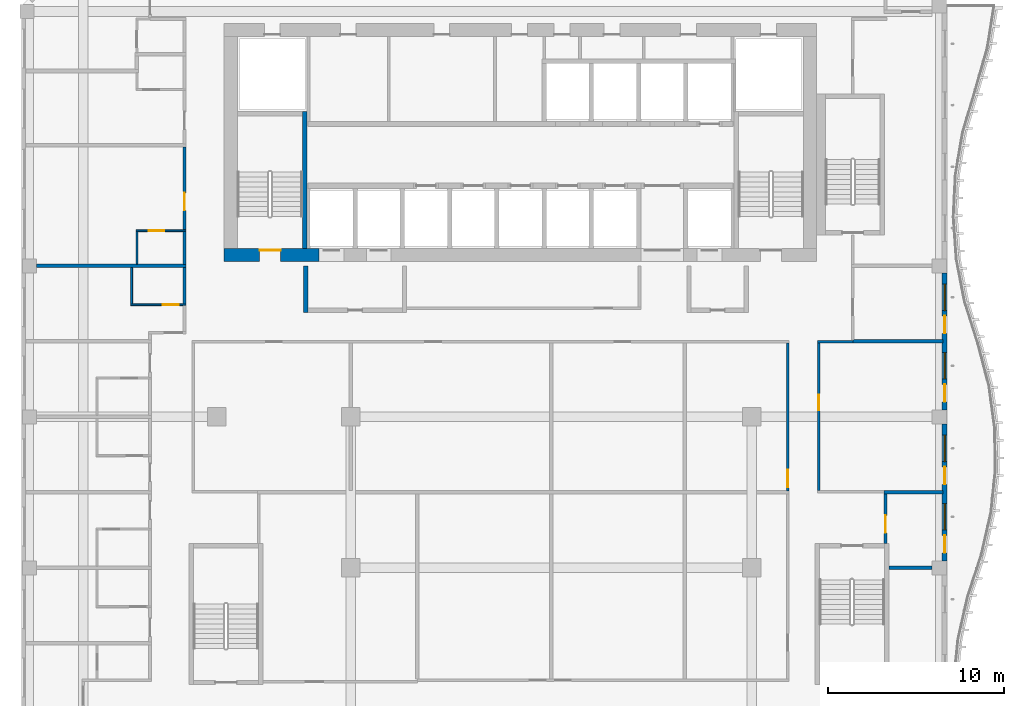
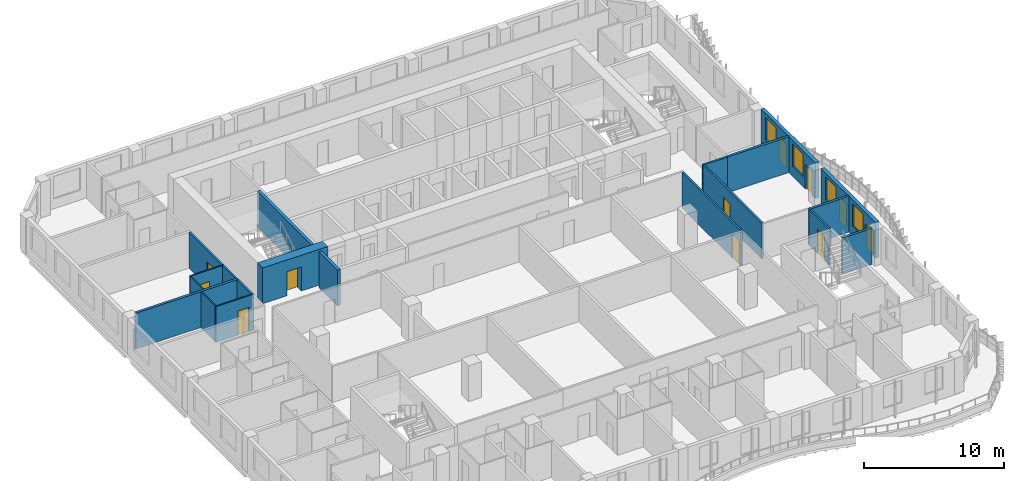
# One storey, part 6 of 21: 20 walls, 11 doors, 4 windows, 15 openings.
"""IFC4 building model written with IfcOpenShell, lengths in metres."""

from ifc_helpers import new_model, si_unit, direction, frame, frame_2d, origin, place, context, subcontext, project, spatial, rectangle, extrude, source, transform, mapped, material, layer, layer_set, type_object, element, fill, save


model = new_model("IFC4")

# Units and contexts
model_context = context("Model", 3, precision=1e-05, world=origin(), true_north=direction((0.0, 1.0)))
body_context = subcontext(model_context, "Body", "Model", "MODEL_VIEW")
ifc_project = project(units=[si_unit("LENGTHUNIT", "METRE"), si_unit("AREAUNIT", "SQUARE_METRE"), si_unit("VOLUMEUNIT", "CUBIC_METRE"), si_unit("PLANEANGLEUNIT", "RADIAN"), si_unit("MASSUNIT", "GRAM", prefix="KILO")], contexts=[model_context])

# Site, building, storey
site_placement = place(None, origin())
site = spatial("IfcSite", under=ifc_project, at=site_placement, CompositionType="ELEMENT")
building_placement = place(site_placement, origin())
building = spatial("IfcBuilding", under=site, at=building_placement, Name="Kilnfold Tower and Market Hall", CompositionType="ELEMENT")
storey_placement = place(building_placement, frame((0.0, 0.0, 182.10009765625)))
storey = spatial("IfcBuildingStorey", under=building, at=storey_placement, Name="L43", CompositionType="ELEMENT", Elevation=182.10009765625)

# Wall
ifc_material_1 = material(Name="Gypsum board on steel studs", Category="steel")
ifc_layer_1 = layer(ifc_material_1, 0.14990234375)
ifc_layer_set_1 = layer_set([ifc_layer_1], Name="Gypsum board on steel studs")
wall_type_1 = type_object("IfcWallType", Name="WALL CORRIDOR 150", PredefinedType="PARTITIONING", material=ifc_layer_set_1)
wall_1_placement = place(storey_placement, frame((-18.0, 5.840087890625, 0.0), z_axis=(0.0, 0.0, 1.0), x_axis=(0.0, 1.0, 0.0)))
element("IfcWall", 1, at=wall_1_placement, inside=storey, type_object=wall_type_1, Name="Partition LY27.21", PredefinedType="PARTITIONING", context=body_context, shape_type="SweptSolid", body=[
    extrude(rectangle(XDim=2.06982421875, YDim=0.14990234375, at=frame_2d((1.034912109375, 0.0))), origin(), (0.0, 0.0, 1.0), 3.119873046875),
])

# Wall, opening, door
wall_2_placement = place(storey_placement, frame((-18.0, 10.0400390625, 0.0), z_axis=(0.0, 0.0, 1.0), x_axis=(0.0, 1.0, 0.0)))
wall_2 = element("IfcWall", 2, at=wall_2_placement, inside=storey, type_object=wall_type_1, Name="Partition LY27.22", PredefinedType="PARTITIONING", context=body_context, shape_type="SweptSolid", body=[
    extrude(rectangle(XDim=4.70703125, YDim=0.14990234375, at=frame_2d((2.353515625, 0.0))), origin(), (0.0, 0.0, 1.0), 3.119873046875),
])
opening_1_placement = place(wall_2_placement, frame((1.10205078125, 0.0, 0.0)))
opening_1 = element("IfcOpeningElement", 3, at=opening_1_placement, cuts=wall_2, Name="Opening D1", PredefinedType="OPENING", context=body_context, shape_type="SweptSolid", body=[
    extrude(rectangle(XDim=1.0, YDim=2.10009765625, at=frame_2d((0.5, 1.050048828125))), frame((0.0, 0.0849609375, 0.0), z_axis=(0.0, -1.0, 0.0), x_axis=(1.0, 0.0, 0.0)), (0.0, 0.0, 1.0), 0.169921875),
])
ifc_material_2 = material(Name="Timber veneer door leaf in steel frame", Category="steel")
door_type_1 = type_object("IfcDoorType", Name="DOOR ENTRY 1000 X2100", OperationType="NOTDEFINED", PredefinedType="DOOR", material=ifc_material_2)
door_1_placement = place(opening_1_placement, origin())
door_1 = element("IfcDoor", 4, at=door_1_placement, inside=storey, type_object=door_type_1, Name="Door D1", OperationType="SINGLE_SWING_LEFT", OverallHeight=2.10009765625, OverallWidth=1.0, PredefinedType="DOOR", context=body_context, shape_type="SweptSolid", body=[
    extrude(rectangle(XDim=1.0, YDim=2.10009765625, at=frame_2d((0.5, 1.050048828125))), frame((0.0, 0.02490234375, 0.0), z_axis=(0.0, -1.0, 0.0), x_axis=(1.0, 0.0, 0.0)), (0.0, 0.0, 1.0), 0.050048828125),
])
fill(opening_1, door_1)

# Walls
wall_3_placement = place(storey_placement, frame((-18.0, 8.090087890625, 0.0), z_axis=(0.0, 0.0, 1.0), x_axis=(0.0, 1.0, 0.0)))
element("IfcWall", 5, at=wall_3_placement, inside=storey, type_object=wall_type_1, Name="Partition LY27.23", PredefinedType="PARTITIONING", context=body_context, shape_type="SweptSolid", body=[
    extrude(rectangle(XDim=1.869873046875, YDim=0.14990234375, at=frame_2d((0.93505859375, 0.0))), origin(), (0.0, 0.0, 1.0), 3.119873046875),
])
wall_4_placement = place(storey_placement, frame((17.884033203125, 3.699951171875, 0.0), z_axis=(0.0, 0.0, 1.0), x_axis=(1.0, 0.0, 0.0)))
element("IfcWall", 6, at=wall_4_placement, inside=storey, type_object=wall_type_1, Name="Partition LY27.34", PredefinedType="PARTITIONING", context=body_context, shape_type="SweptSolid", body=[
    extrude(rectangle(XDim=2.015869140625, YDim=0.14990234375, at=frame_2d((1.0078125, 0.0))), origin(), (0.0, 0.0, 1.0), 3.119873046875),
])

# Wall, opening, door
wall_5_placement = place(storey_placement, frame((17.958984375, -4.72509765625, 0.0), z_axis=(0.0, 0.0, 1.0), x_axis=(0.0, 1.0, 0.0)))
wall_5 = element("IfcWall", 7, at=wall_5_placement, inside=storey, type_object=wall_type_1, Name="Partition LY27.35", PredefinedType="PARTITIONING", context=body_context, shape_type="SweptSolid", body=[
    extrude(rectangle(XDim=8.35009765625, YDim=0.14990234375, at=frame_2d((4.175048828125, 0.0))), origin(), (0.0, 0.0, 1.0), 3.119873046875),
])
opening_2_placement = place(wall_5_placement, frame((4.531005859375, 0.0, 0.0)))
opening_2 = element("IfcOpeningElement", 8, at=opening_2_placement, cuts=wall_5, Name="Opening D2", PredefinedType="OPENING", context=body_context, shape_type="SweptSolid", body=[
    extrude(rectangle(XDim=0.89990234375, YDim=2.10009765625, at=frame_2d((0.449951171875, 1.050048828125))), frame((0.0, 0.0849609375, 0.0), z_axis=(0.0, -1.0, 0.0), x_axis=(1.0, 0.0, 0.0)), (0.0, 0.0, 1.0), 0.169921875),
])
ifc_material_3 = material(Name="Timber veneer door leaf in steel frame", Category="steel")
door_type_2 = type_object("IfcDoorType", Name="DOOR ROOM 900 X2100", OperationType="NOTDEFINED", PredefinedType="DOOR", material=ifc_material_3)
door_2_placement = place(opening_2_placement, origin())
door_2 = element("IfcDoor", 9, at=door_2_placement, inside=storey, type_object=door_type_2, Name="Door D2", OperationType="SINGLE_SWING_RIGHT", OverallHeight=2.10009765625, OverallWidth=0.89990234375, PredefinedType="DOOR", context=body_context, shape_type="SweptSolid", body=[
    extrude(rectangle(XDim=0.89990234375, YDim=2.10009765625, at=frame_2d((0.449951171875, 1.050048828125))), frame((0.0, 0.02490234375, 0.0), z_axis=(0.0, -1.0, 0.0), x_axis=(1.0, 0.0, 0.0)), (0.0, 0.0, 1.0), 0.050048828125),
])
fill(opening_2, door_2)

wall_6_placement = place(storey_placement, frame((21.75, -7.75, 0.0), z_axis=(0.0, 0.0, 1.0), x_axis=(0.0, 1.0, 0.0)))
wall_6 = element("IfcWall", 10, at=wall_6_placement, inside=storey, type_object=wall_type_1, Name="Partition LY27.37", PredefinedType="PARTITIONING", context=body_context, shape_type="SweptSolid", body=[
    extrude(rectangle(XDim=2.81689453125, YDim=0.14990234375, at=frame_2d((1.408447265625, 0.0))), origin(), (0.0, 0.0, 1.0), 3.119873046875),
])
opening_3_placement = place(wall_6_placement, frame((0.60498046875, 0.0, 0.0)))
opening_3 = element("IfcOpeningElement", 11, at=opening_3_placement, cuts=wall_6, Name="Opening D4", PredefinedType="OPENING", context=body_context, shape_type="SweptSolid", body=[
    extrude(rectangle(XDim=1.0, YDim=2.10009765625, at=frame_2d((0.5, 1.050048828125))), frame((0.0, 0.0849609375, 0.0), z_axis=(0.0, -1.0, 0.0), x_axis=(1.0, 0.0, 0.0)), (0.0, 0.0, 1.0), 0.169921875),
])
ifc_material_4 = material(Name="Timber veneer door leaf in steel frame", Category="steel")
door_type_3 = type_object("IfcDoorType", Name="DOOR SERVICE 1000 X2100", OperationType="NOTDEFINED", PredefinedType="DOOR", material=ifc_material_4)
door_3_placement = place(opening_3_placement, origin())
door_3 = element("IfcDoor", 12, at=door_3_placement, inside=storey, type_object=door_type_3, Name="Door D4", OperationType="SINGLE_SWING_LEFT", OverallHeight=2.10009765625, OverallWidth=1.0, PredefinedType="DOOR", context=body_context, shape_type="SweptSolid", body=[
    extrude(rectangle(XDim=1.0, YDim=2.10009765625, at=frame_2d((0.5, 1.050048828125))), frame((0.0, 0.02490234375, 0.0), z_axis=(0.0, -1.0, 0.0), x_axis=(1.0, 0.0, 0.0)), (0.0, 0.0, 1.0), 0.050048828125),
])
fill(opening_3, door_3)

wall_7_placement = place(storey_placement, frame((16.199951171875, -4.7529296875, 0.0), z_axis=(0.0, 0.0, 1.0), x_axis=(0.0, 1.0, 0.0)))
wall_7 = element("IfcWall", 13, at=wall_7_placement, inside=storey, type_object=wall_type_1, Name="Partition LY27.45", PredefinedType="PARTITIONING", context=body_context, shape_type="SweptSolid", body=[
    extrude(rectangle(XDim=8.3779296875, YDim=0.14990234375, at=frame_2d((4.18896484375, 0.0))), origin(), (0.0, 0.0, 1.0), 3.119873046875),
])
opening_4_placement = place(wall_7_placement, frame((0.199951171875, 0.0, 0.0)))
opening_4 = element("IfcOpeningElement", 14, at=opening_4_placement, cuts=wall_7, Name="Opening D4", PredefinedType="OPENING", context=body_context, shape_type="SweptSolid", body=[
    extrude(rectangle(XDim=1.0, YDim=2.10009765625, at=frame_2d((0.5, 1.050048828125))), frame((0.0, 0.0849609375, 0.0), z_axis=(0.0, -1.0, 0.0), x_axis=(1.0, 0.0, 0.0)), (0.0, 0.0, 1.0), 0.169921875),
])
door_4_placement = place(opening_4_placement, origin())
door_4 = element("IfcDoor", 15, at=door_4_placement, inside=storey, type_object=door_type_3, Name="Door D4", OperationType="SINGLE_SWING_RIGHT", OverallHeight=2.10009765625, OverallWidth=1.0, PredefinedType="DOOR", context=body_context, shape_type="SweptSolid", body=[
    extrude(rectangle(XDim=1.0, YDim=2.10009765625, at=frame_2d((0.5, 1.050048828125))), frame((0.0, 0.02490234375, 0.0), z_axis=(0.0, -1.0, 0.0), x_axis=(1.0, 0.0, 0.0)), (0.0, 0.0, 1.0), 0.050048828125),
])
fill(opening_4, door_4)

ifc_material_5 = material(Name="Gypsum board on steel studs", Category="steel")
ifc_layer_2 = layer(ifc_material_5, 0.10009765625)
ifc_layer_set_2 = layer_set([ifc_layer_2], Name="Gypsum board on steel studs")
wall_type_2 = type_object("IfcWallType", Name="WALL PARTITION 100", PredefinedType="PARTITIONING", material=ifc_layer_set_2)
wall_8_placement = place(storey_placement, frame((-17.927001953125, 5.800048828125, 0.0), z_axis=(0.0, 0.0, 1.0), x_axis=(-1.0, 0.0, 0.0)))
wall_8 = element("IfcWall", 16, at=wall_8_placement, inside=storey, type_object=wall_type_2, Name="Partition LY27.97", PredefinedType="PARTITIONING", context=body_context, shape_type="SweptSolid", body=[
    extrude(rectangle(XDim=3.125, YDim=0.10009765625, at=frame_2d((1.5625, 0.0))), origin(), (0.0, 0.0, 1.0), 3.119873046875),
])
opening_5_placement = place(wall_8_placement, frame((0.403076171875, 0.0, 0.0)))
opening_5 = element("IfcOpeningElement", 17, at=opening_5_placement, cuts=wall_8, Name="Opening D3", PredefinedType="OPENING", context=body_context, shape_type="SweptSolid", body=[
    extrude(rectangle(XDim=0.89990234375, YDim=2.10009765625, at=frame_2d((0.449951171875, 1.050048828125))), frame((0.0, 0.06005859375, 0.0), z_axis=(0.0, -1.0, 0.0), x_axis=(1.0, 0.0, 0.0)), (0.0, 0.0, 1.0), 0.1201171875),
])
ifc_material_6 = material(Name="Timber veneer door leaf in steel frame", Category="steel")
door_type_4 = type_object("IfcDoorType", Name="DOOR WC 900 X2100", OperationType="NOTDEFINED", PredefinedType="DOOR", material=ifc_material_6)
door_5_placement = place(opening_5_placement, origin())
door_5 = element("IfcDoor", 18, at=door_5_placement, inside=storey, type_object=door_type_4, Name="Door D3", OperationType="SINGLE_SWING_LEFT", OverallHeight=2.10009765625, OverallWidth=0.89990234375, PredefinedType="DOOR", context=body_context, shape_type="SweptSolid", body=[
    extrude(rectangle(XDim=0.89990234375, YDim=2.10009765625, at=frame_2d((0.449951171875, 1.050048828125))), frame((0.0, 0.02490234375, 0.0), z_axis=(0.0, -1.0, 0.0), x_axis=(1.0, 0.0, 0.0)), (0.0, 0.0, 1.0), 0.050048828125),
])
fill(opening_5, door_5)

# Wall
wall_9_placement = place(storey_placement, frame((-21.001953125, 5.85009765625, 0.0), z_axis=(0.0, 0.0, 1.0), x_axis=(0.0, 1.0, 0.0)))
element("IfcWall", 19, at=wall_9_placement, inside=storey, type_object=wall_type_2, Name="Partition LY27.98", PredefinedType="PARTITIONING", context=body_context, shape_type="SweptSolid", body=[
    extrude(rectangle(XDim=2.0498046875, YDim=0.10009765625, at=frame_2d((1.02490234375, 0.0))), origin(), (0.0, 0.0, 1.0), 3.119873046875),
])

# Wall, opening, door
wall_10_placement = place(storey_placement, frame((-20.751953125, 10.0, 0.0), z_axis=(0.0, 0.0, 1.0), x_axis=(1.0, 0.0, 0.0)))
wall_10 = element("IfcWall", 20, at=wall_10_placement, inside=storey, type_object=wall_type_2, Name="Partition LY27.100", PredefinedType="PARTITIONING", context=body_context, shape_type="SweptSolid", body=[
    extrude(rectangle(XDim=2.824951171875, YDim=0.10009765625, at=frame_2d((1.41259765625, 0.0))), origin(), (0.0, 0.0, 1.0), 3.119873046875),
])
opening_6_placement = place(wall_10_placement, frame((0.7080078125, 0.0, 0.0)))
opening_6 = element("IfcOpeningElement", 21, at=opening_6_placement, cuts=wall_10, Name="Opening D3", PredefinedType="OPENING", context=body_context, shape_type="SweptSolid", body=[
    extrude(rectangle(XDim=0.89990234375, YDim=2.10009765625, at=frame_2d((0.449951171875, 1.050048828125))), frame((0.0, 0.06005859375, 0.0), z_axis=(0.0, -1.0, 0.0), x_axis=(1.0, 0.0, 0.0)), (0.0, 0.0, 1.0), 0.1201171875),
])
door_6_placement = place(opening_6_placement, origin())
door_6 = element("IfcDoor", 22, at=door_6_placement, inside=storey, type_object=door_type_4, Name="Door D3", OperationType="SINGLE_SWING_RIGHT", OverallHeight=2.10009765625, OverallWidth=0.89990234375, PredefinedType="DOOR", context=body_context, shape_type="SweptSolid", body=[
    extrude(rectangle(XDim=0.89990234375, YDim=2.10009765625, at=frame_2d((0.449951171875, 1.050048828125))), frame((0.0, 0.02490234375, 0.0), z_axis=(0.0, -1.0, 0.0), x_axis=(1.0, 0.0, 0.0)), (0.0, 0.0, 1.0), 0.050048828125),
])
fill(opening_6, door_6)

# Walls
wall_11_placement = place(storey_placement, frame((-20.701904296875, 8.10009765625, 0.0), z_axis=(0.0, 0.0, 1.0), x_axis=(0.0, 1.0, 0.0)))
element("IfcWall", 23, at=wall_11_placement, inside=storey, type_object=wall_type_2, Name="Partition LY27.101", PredefinedType="PARTITIONING", context=body_context, shape_type="SweptSolid", body=[
    extrude(rectangle(XDim=1.849853515625, YDim=0.10009765625, at=frame_2d((0.9248046875, 0.0))), origin(), (0.0, 0.0, 1.0), 3.119873046875),
])
ifc_material_7 = material(Name="Gypsum board on steel studs", Category="steel")
ifc_layer_3 = layer(ifc_material_7, 0.199951171875)
ifc_layer_set_3 = layer_set([ifc_layer_3], Name="Gypsum board on steel studs")
wall_type_3 = type_object("IfcWallType", Name="WALL PARTY 200", PredefinedType="PARTITIONING", material=ifc_layer_set_3)
wall_12_placement = place(storey_placement, frame((-26.39990234375, 8.0, 0.0), z_axis=(0.0, 0.0, 1.0), x_axis=(1.0, 0.0, 0.0)))
element("IfcWall", 24, at=wall_12_placement, inside=storey, type_object=wall_type_3, Name="Partition LY27.99", PredefinedType="PARTITIONING", context=body_context, shape_type="SweptSolid", body=[
    extrude(rectangle(XDim=8.472900390625, YDim=0.199951171875, at=frame_2d((4.236328125, 0.0))), origin(), (0.0, 0.0, 1.0), 3.119873046875),
])
wall_13_placement = place(storey_placement, frame((19.902099609375, 3.718994140625, 0.0), z_axis=(0.0, 0.0, 1.0), x_axis=(1.0, 0.0, 0.0)))
element("IfcWall", 25, at=wall_13_placement, inside=storey, type_object=wall_type_3, Name="Partition LY27.112", PredefinedType="PARTITIONING", context=body_context, shape_type="SweptSolid", body=[
    extrude(rectangle(XDim=5.097900390625, YDim=0.199951171875, at=frame_2d((2.548828125, 0.0))), origin(), (0.0, 0.0, 1.0), 3.119873046875),
])
wall_14_placement = place(storey_placement, frame((21.677001953125, -4.843017578125, 0.0), z_axis=(0.0, 0.0, 1.0), x_axis=(1.0, 0.0, 0.0)))
element("IfcWall", 26, at=wall_14_placement, inside=storey, type_object=wall_type_3, Name="Partition LY27.115", PredefinedType="PARTITIONING", context=body_context, shape_type="SweptSolid", body=[
    extrude(rectangle(XDim=3.322998046875, YDim=0.199951171875, at=frame_2d((1.66162109375, 0.0))), origin(), (0.0, 0.0, 1.0), 3.119873046875),
])
wall_15_placement = place(storey_placement, frame((21.949951171875, -9.125, 0.0), z_axis=(0.0, 0.0, 1.0), x_axis=(1.0, 0.0, 0.0)))
element("IfcWall", 27, at=wall_15_placement, inside=storey, type_object=wall_type_3, Name="Partition LY27.116", PredefinedType="PARTITIONING", context=body_context, shape_type="SweptSolid", body=[
    extrude(rectangle(XDim=2.449951171875, YDim=0.199951171875, at=frame_2d((1.22509765625, 0.0))), origin(), (0.0, 0.0, 1.0), 3.119873046875),
])
ifc_material_8 = material(Name="Concrete C60", Category="concrete")
ifc_layer_4 = layer(ifc_material_8, 0.25)
ifc_layer_set_4 = layer_set([ifc_layer_4], Name="Concrete C60")
wall_type_4 = type_object("IfcWallType", Name="CORE WALL 250 C60", PredefinedType="SHEAR", material=ifc_layer_set_4)
shared_shape_1 = source(origin(), body_context, "Body", "SweptSolid", [
    extrude(rectangle(XDim=7.75, YDim=0.25, at=frame_2d((3.875, 0.0))), origin(), (0.0, 0.0, 1.0), 3.119873046875),
])
wall_16_placement = place(storey_placement, frame((-11.175048828125, 9.0, 0.0), z_axis=(0.0, 0.0, 1.0), x_axis=(0.0, 1.0, 0.0)))
element("IfcWall", 28, at=wall_16_placement, inside=storey, type_object=wall_type_4, Name="Stair enclosure ST1", PredefinedType="SHEAR", context=body_context, shape_type="MappedRepresentation", body=[
    mapped(shared_shape_1, transform((0.0, 0.0, 0.0))),
])

# Wall, opening, door
ifc_material_9 = material(Name="Concrete C60", Category="concrete")
ifc_layer_5 = layer(ifc_material_9, 0.75)
ifc_layer_set_5 = layer_set([ifc_layer_5], Name="Concrete C60")
wall_type_5 = type_object("IfcWallType", Name="CORE WALL 750 C60", PredefinedType="SHEAR", material=ifc_layer_set_5)
shared_shape_2 = source(origin(), body_context, "Body", "SweptSolid", [
    extrude(rectangle(XDim=5.3798828125, YDim=0.75, at=frame_2d((2.68994140625, 0.0))), origin(), (0.0, 0.0, 1.0), 3.119873046875),
])
wall_17_placement = place(storey_placement, frame((-15.75, 8.625, 0.0), z_axis=(0.0, 0.0, 1.0), x_axis=(1.0, 0.0, 0.0)))
wall_17 = element("IfcWall", 29, at=wall_17_placement, inside=storey, type_object=wall_type_5, Name="Core outer wall south", PredefinedType="SHEAR", context=body_context, shape_type="MappedRepresentation", body=[
    mapped(shared_shape_2, transform((0.0, 0.0, 0.0))),
])
opening_7_placement = place(wall_17_placement, frame((2.0, 0.0, 0.0)))
opening_7 = element("IfcOpeningElement", 30, at=opening_7_placement, cuts=wall_17, Name="Opening SD1", PredefinedType="OPENING", context=body_context, shape_type="SweptSolid", body=[
    extrude(rectangle(XDim=1.199951171875, YDim=2.10009765625, at=frame_2d((0.60009765625, 1.050048828125))), frame((0.0, 0.385009765625, 0.0), z_axis=(0.0, -1.0, 0.0), x_axis=(1.0, 0.0, 0.0)), (0.0, 0.0, 1.0), 0.77001953125),
])
ifc_material_10 = material(Name="Steel door set with fire-resisting leaf", Category="steel")
door_type_5 = type_object("IfcDoorType", Name="STAIR FLOOR DOOR 1200X2100", OperationType="NOTDEFINED", PredefinedType="DOOR", material=ifc_material_10)
door_7_placement = place(opening_7_placement, origin())
door_7 = element("IfcDoor", 31, at=door_7_placement, inside=storey, type_object=door_type_5, Name="Exit stair ST1 door", OperationType="DOUBLE_DOOR_SINGLE_SWING", OverallHeight=2.10009765625, OverallWidth=1.199951171875, PredefinedType="DOOR", context=body_context, shape_type="SweptSolid", body=[
    extrude(rectangle(XDim=1.199951171875, YDim=2.10009765625, at=frame_2d((0.60009765625, 1.050048828125))), frame((0.0, 0.27978515625, 0.0), z_axis=(0.0, -1.0, 0.0), x_axis=(1.0, 0.0, 0.0)), (0.0, 0.0, 1.0), 0.050048828125),
])
fill(opening_7, door_7)

# Wall, openings, doors, windows
ifc_material_11 = material(Name="Precast concrete C50/60", Category="concrete")
ifc_layer_6 = layer(ifc_material_11, 0.300048828125)
ifc_layer_set_6 = layer_set([ifc_layer_6], Name="Precast concrete C50/60")
wall_type_6 = type_object("IfcWallType", Name="PRECAST WALL 300", PredefinedType="SOLIDWALL", material=ifc_layer_set_6)
shared_shape_3 = source(origin(), body_context, "Body", "SweptSolid", [
    extrude(rectangle(XDim=7.7626953125, YDim=0.300048828125, at=frame_2d((3.88134765625, 0.0))), origin(), (0.0, 0.0, 1.0), 3.119873046875),
])
wall_18_placement = place(storey_placement, frame((25.10009765625, -8.72509765625, 0.0), z_axis=(0.0, 0.0, 1.0), x_axis=(0.0, 1.0, 0.0)))
wall_18 = element("IfcWall", 32, at=wall_18_placement, inside=storey, type_object=wall_type_6, Name="External wall L43 E", PredefinedType="SOLIDWALL", context=body_context, shape_type="MappedRepresentation", body=[
    mapped(shared_shape_3, transform((0.0, 0.0, 0.0))),
])
opening_8_placement = place(wall_18_placement, frame((1.75, 0.0, 0.85009765625)))
opening_8 = element("IfcOpeningElement", 33, at=opening_8_placement, cuts=wall_18, Name="Opening W4", PredefinedType="OPENING", context=body_context, shape_type="SweptSolid", body=[
    extrude(rectangle(XDim=1.5, YDim=1.949951171875, at=frame_2d((0.75, 0.97509765625))), frame((0.0, 0.16015625, 0.0), z_axis=(0.0, -1.0, 0.0), x_axis=(1.0, 0.0, 0.0)), (0.0, 0.0, 1.0), 0.320068359375),
])
opening_9_placement = place(wall_18_placement, frame((0.449951171875, 0.0, 0.0)))
opening_9 = element("IfcOpeningElement", 34, at=opening_9_placement, cuts=wall_18, Name="Opening BD1", PredefinedType="OPENING", context=body_context, shape_type="SweptSolid", body=[
    extrude(rectangle(XDim=1.0, YDim=2.10009765625, at=frame_2d((0.5, 1.050048828125))), frame((0.0, 0.16015625, 0.0), z_axis=(0.0, -1.0, 0.0), x_axis=(1.0, 0.0, 0.0)), (0.0, 0.0, 1.0), 0.320068359375),
])
opening_10_placement = place(wall_18_placement, frame((5.631103515625, 0.0, 0.85009765625)))
opening_10 = element("IfcOpeningElement", 35, at=opening_10_placement, cuts=wall_18, Name="Opening W4", PredefinedType="OPENING", context=body_context, shape_type="SweptSolid", body=[
    extrude(rectangle(XDim=1.5, YDim=1.949951171875, at=frame_2d((0.75, 0.97509765625))), frame((0.0, 0.16015625, 0.0), z_axis=(0.0, -1.0, 0.0), x_axis=(1.0, 0.0, 0.0)), (0.0, 0.0, 1.0), 0.320068359375),
])
opening_11_placement = place(wall_18_placement, frame((4.331298828125, 0.0, 0.0)))
opening_11 = element("IfcOpeningElement", 36, at=opening_11_placement, cuts=wall_18, Name="Opening BD1", PredefinedType="OPENING", context=body_context, shape_type="SweptSolid", body=[
    extrude(rectangle(XDim=1.0, YDim=2.10009765625, at=frame_2d((0.5, 1.050048828125))), frame((0.0, 0.16015625, 0.0), z_axis=(0.0, -1.0, 0.0), x_axis=(1.0, 0.0, 0.0)), (0.0, 0.0, 1.0), 0.320068359375),
])
ifc_material_12 = material(Name="Aluminium frame and double glazing", Category="aluminium")
door_type_6 = type_object("IfcDoorType", Name="BALCONY DOOR 1000X2100", OperationType="NOTDEFINED", PredefinedType="DOOR", material=ifc_material_12)
door_8_placement = place(opening_9_placement, origin())
door_8 = element("IfcDoor", 37, at=door_8_placement, inside=storey, type_object=door_type_6, Name="Balcony door BD1 L43 E-1", OperationType="SINGLE_SWING_LEFT", OverallHeight=2.10009765625, OverallWidth=1.0, PredefinedType="DOOR", context=body_context, shape_type="SweptSolid", body=[
    extrude(rectangle(XDim=1.0, YDim=2.10009765625, at=frame_2d((0.5, 1.050048828125))), frame((0.0, 0.02490234375, 0.0), z_axis=(0.0, -1.0, 0.0), x_axis=(1.0, 0.0, 0.0)), (0.0, 0.0, 1.0), 0.050048828125),
])
fill(opening_9, door_8)
door_9_placement = place(opening_11_placement, origin())
door_9 = element("IfcDoor", 38, at=door_9_placement, inside=storey, type_object=door_type_6, Name="Balcony door BD1 L43 E-2", OperationType="SINGLE_SWING_RIGHT", OverallHeight=2.10009765625, OverallWidth=1.0, PredefinedType="DOOR", context=body_context, shape_type="SweptSolid", body=[
    extrude(rectangle(XDim=1.0, YDim=2.10009765625, at=frame_2d((0.5, 1.050048828125))), frame((0.0, 0.02490234375, 0.0), z_axis=(0.0, -1.0, 0.0), x_axis=(1.0, 0.0, 0.0)), (0.0, 0.0, 1.0), 0.050048828125),
])
fill(opening_11, door_9)
ifc_material_13 = material(Name="Aluminium frame and double glazing", Category="aluminium")
window_type = type_object("IfcWindowType", Name="WINDOW W4 1500X1950", PartitioningType="SINGLE_PANEL", PredefinedType="WINDOW", material=ifc_material_13)
window_1_placement = place(opening_8_placement, origin())
window_1 = element("IfcWindow", 39, at=window_1_placement, inside=storey, type_object=window_type, Name="Window W4 L43 E-1", OverallHeight=1.949951171875, OverallWidth=1.5, PartitioningType="SINGLE_PANEL", PredefinedType="WINDOW", context=body_context, shape_type="SweptSolid", body=[
    extrude(rectangle(XDim=1.5, YDim=1.949951171875, at=frame_2d((0.75, 0.97509765625))), frame((0.0, 0.030029296875, 0.0), z_axis=(0.0, -1.0, 0.0), x_axis=(1.0, 0.0, 0.0)), (0.0, 0.0, 1.0), 0.06005859375),
])
fill(opening_8, window_1)
window_2_placement = place(opening_10_placement, origin())
window_2 = element("IfcWindow", 40, at=window_2_placement, inside=storey, type_object=window_type, Name="Window W4 L43 E-2", OverallHeight=1.949951171875, OverallWidth=1.5, PartitioningType="SINGLE_PANEL", PredefinedType="WINDOW", context=body_context, shape_type="SweptSolid", body=[
    extrude(rectangle(XDim=1.5, YDim=1.949951171875, at=frame_2d((0.75, 0.97509765625))), frame((0.0, 0.030029296875, 0.0), z_axis=(0.0, -1.0, 0.0), x_axis=(1.0, 0.0, 0.0)), (0.0, 0.0, 1.0), 0.06005859375),
])
fill(opening_10, window_2)

wall_19_placement = place(storey_placement, frame((25.10009765625, -0.16259765625, 0.0), z_axis=(0.0, 0.0, 1.0), x_axis=(0.0, 1.0, 0.0)))
wall_19 = element("IfcWall", 41, at=wall_19_placement, inside=storey, type_object=wall_type_6, Name="External wall L43 E", PredefinedType="SOLIDWALL", context=body_context, shape_type="MappedRepresentation", body=[
    mapped(shared_shape_3, transform((0.0, 0.0, 0.0))),
])
opening_12_placement = place(wall_19_placement, frame((1.75, 0.0, 0.85009765625)))
opening_12 = element("IfcOpeningElement", 42, at=opening_12_placement, cuts=wall_19, Name="Opening W4", PredefinedType="OPENING", context=body_context, shape_type="SweptSolid", body=[
    extrude(rectangle(XDim=1.5, YDim=1.949951171875, at=frame_2d((0.75, 0.97509765625))), frame((0.0, 0.16015625, 0.0), z_axis=(0.0, -1.0, 0.0), x_axis=(1.0, 0.0, 0.0)), (0.0, 0.0, 1.0), 0.320068359375),
])
opening_13_placement = place(wall_19_placement, frame((0.449951171875, 0.0, 0.0)))
opening_13 = element("IfcOpeningElement", 43, at=opening_13_placement, cuts=wall_19, Name="Opening BD1", PredefinedType="OPENING", context=body_context, shape_type="SweptSolid", body=[
    extrude(rectangle(XDim=1.0, YDim=2.10009765625, at=frame_2d((0.5, 1.050048828125))), frame((0.0, 0.16015625, 0.0), z_axis=(0.0, -1.0, 0.0), x_axis=(1.0, 0.0, 0.0)), (0.0, 0.0, 1.0), 0.320068359375),
])
opening_14_placement = place(wall_19_placement, frame((5.63134765625, 0.0, 0.85009765625)))
opening_14 = element("IfcOpeningElement", 44, at=opening_14_placement, cuts=wall_19, Name="Opening W4", PredefinedType="OPENING", context=body_context, shape_type="SweptSolid", body=[
    extrude(rectangle(XDim=1.5, YDim=1.949951171875, at=frame_2d((0.75, 0.97509765625))), frame((0.0, 0.16015625, 0.0), z_axis=(0.0, -1.0, 0.0), x_axis=(1.0, 0.0, 0.0)), (0.0, 0.0, 1.0), 0.320068359375),
])
opening_15_placement = place(wall_19_placement, frame((4.331298828125, 0.0, 0.0)))
opening_15 = element("IfcOpeningElement", 45, at=opening_15_placement, cuts=wall_19, Name="Opening BD1", PredefinedType="OPENING", context=body_context, shape_type="SweptSolid", body=[
    extrude(rectangle(XDim=1.0, YDim=2.10009765625, at=frame_2d((0.5, 1.050048828125))), frame((0.0, 0.16015625, 0.0), z_axis=(0.0, -1.0, 0.0), x_axis=(1.0, 0.0, 0.0)), (0.0, 0.0, 1.0), 0.320068359375),
])
door_10_placement = place(opening_13_placement, origin())
door_10 = element("IfcDoor", 46, at=door_10_placement, inside=storey, type_object=door_type_6, Name="Balcony door BD1 L43 E-1", OperationType="SINGLE_SWING_LEFT", OverallHeight=2.10009765625, OverallWidth=1.0, PredefinedType="DOOR", context=body_context, shape_type="SweptSolid", body=[
    extrude(rectangle(XDim=1.0, YDim=2.10009765625, at=frame_2d((0.5, 1.050048828125))), frame((0.0, 0.02490234375, 0.0), z_axis=(0.0, -1.0, 0.0), x_axis=(1.0, 0.0, 0.0)), (0.0, 0.0, 1.0), 0.050048828125),
])
fill(opening_13, door_10)
door_11_placement = place(opening_15_placement, origin())
door_11 = element("IfcDoor", 47, at=door_11_placement, inside=storey, type_object=door_type_6, Name="Balcony door BD1 L43 E-2", OperationType="SINGLE_SWING_RIGHT", OverallHeight=2.10009765625, OverallWidth=1.0, PredefinedType="DOOR", context=body_context, shape_type="SweptSolid", body=[
    extrude(rectangle(XDim=1.0, YDim=2.10009765625, at=frame_2d((0.5, 1.050048828125))), frame((0.0, 0.02490234375, 0.0), z_axis=(0.0, -1.0, 0.0), x_axis=(1.0, 0.0, 0.0)), (0.0, 0.0, 1.0), 0.050048828125),
])
fill(opening_15, door_11)
window_3_placement = place(opening_12_placement, origin())
window_3 = element("IfcWindow", 48, at=window_3_placement, inside=storey, type_object=window_type, Name="Window W4 L43 E-1", OverallHeight=1.949951171875, OverallWidth=1.5, PartitioningType="SINGLE_PANEL", PredefinedType="WINDOW", context=body_context, shape_type="SweptSolid", body=[
    extrude(rectangle(XDim=1.5, YDim=1.949951171875, at=frame_2d((0.75, 0.97509765625))), frame((0.0, 0.030029296875, 0.0), z_axis=(0.0, -1.0, 0.0), x_axis=(1.0, 0.0, 0.0)), (0.0, 0.0, 1.0), 0.06005859375),
])
fill(opening_12, window_3)
window_4_placement = place(opening_14_placement, origin())
window_4 = element("IfcWindow", 49, at=window_4_placement, inside=storey, type_object=window_type, Name="Window W4 L43 E-2", OverallHeight=1.949951171875, OverallWidth=1.5, PartitioningType="SINGLE_PANEL", PredefinedType="WINDOW", context=body_context, shape_type="SweptSolid", body=[
    extrude(rectangle(XDim=1.5, YDim=1.949951171875, at=frame_2d((0.75, 0.97509765625))), frame((0.0, 0.030029296875, 0.0), z_axis=(0.0, -1.0, 0.0), x_axis=(1.0, 0.0, 0.0)), (0.0, 0.0, 1.0), 0.06005859375),
])
fill(opening_14, window_4)

# Wall
ifc_material_14 = material(Name="Gypsum shaft wall system")
ifc_layer_7 = layer(ifc_material_14, 0.25)
ifc_layer_set_7 = layer_set([ifc_layer_7], Name="Gypsum shaft wall system")
wall_type_7 = type_object("IfcWallType", Name="LOBBY WALL 250", PredefinedType="PARTITIONING", material=ifc_layer_set_7)
shared_shape_4 = source(origin(), body_context, "Body", "SweptSolid", [
    extrude(rectangle(XDim=2.64990234375, YDim=0.25, at=frame_2d((1.324951171875, 0.0))), origin(), (0.0, 0.0, 1.0), 3.119873046875),
])
wall_20_placement = place(storey_placement, frame((-11.135009765625, 5.35009765625, 0.0), z_axis=(0.0, 0.0, 1.0), x_axis=(0.0, 1.0, 0.0)))
element("IfcWall", 50, at=wall_20_placement, inside=storey, type_object=wall_type_7, Name="Firefighting lobby wall", PredefinedType="PARTITIONING", context=body_context, shape_type="MappedRepresentation", body=[
    mapped(shared_shape_4, transform((0.0, 0.0, 0.0))),
])

save(model, "model.ifc")
